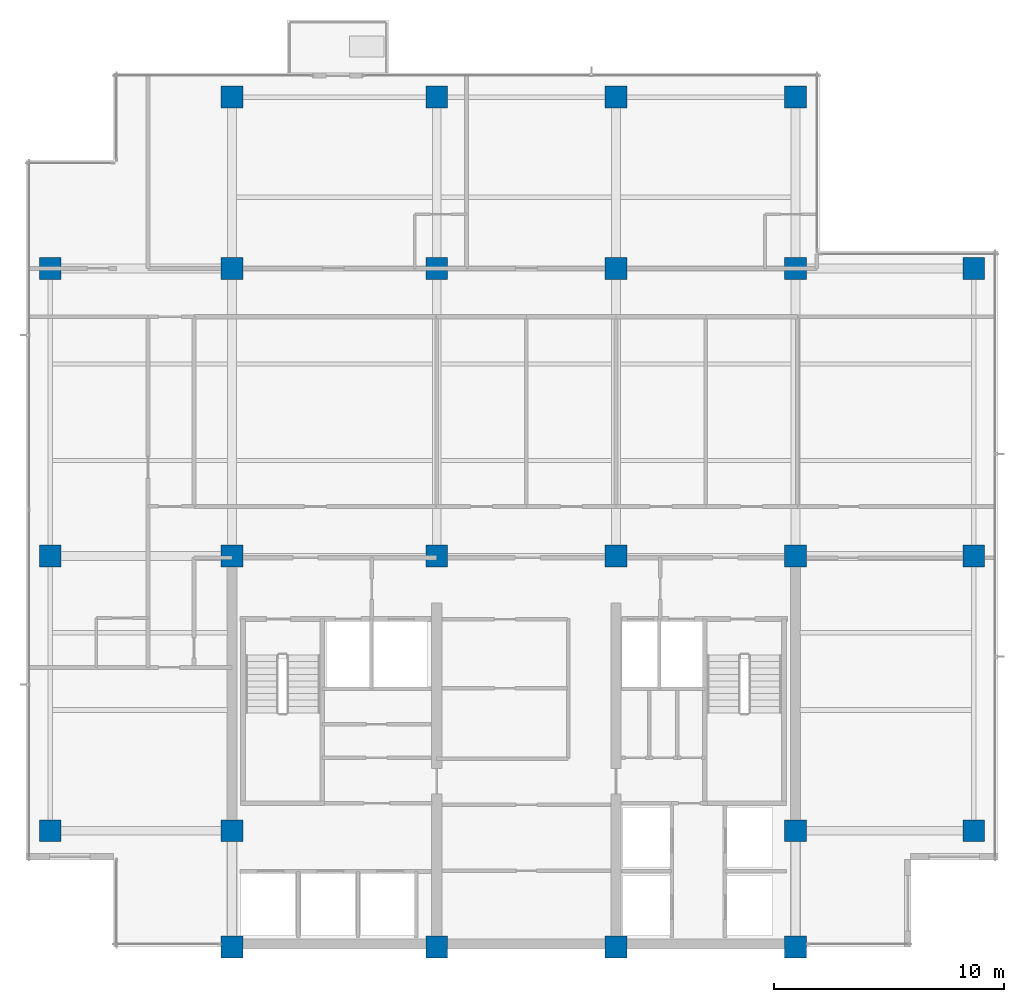
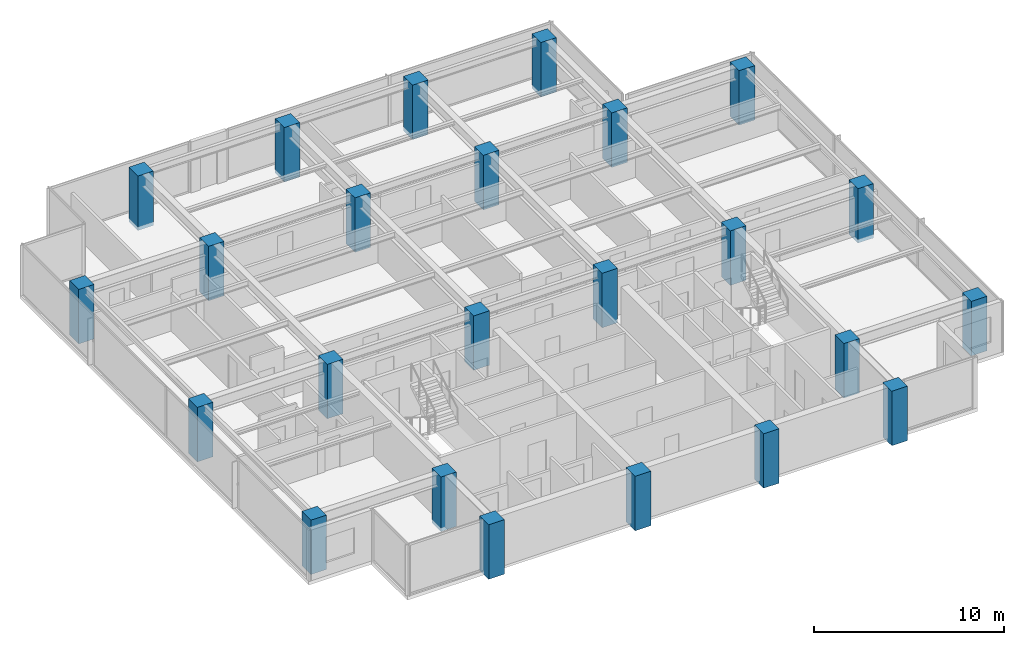
# One storey, part 1 of 14: 24 columns.
"""IFC4 building model written with IfcOpenShell, lengths in metres."""

from ifc_helpers import new_model, si_unit, direction, frame, origin, origin_2d, place, context, subcontext, project, spatial, rectangle, extrude, material, material_profile, profile_set, type_object, element, save


model = new_model("IFC4")

# Units and contexts
model_context = context("Model", 3, precision=1e-05, world=origin(), true_north=direction((0.0, 1.0)))
body_context = subcontext(model_context, "Body", "Model", "MODEL_VIEW")
ifc_project = project(units=[si_unit("LENGTHUNIT", "METRE"), si_unit("AREAUNIT", "SQUARE_METRE"), si_unit("VOLUMEUNIT", "CUBIC_METRE"), si_unit("PLANEANGLEUNIT", "RADIAN"), si_unit("MASSUNIT", "GRAM", prefix="KILO")], contexts=[model_context])

# Site, building, storey
site_placement = place(None, origin())
site = spatial("IfcSite", under=ifc_project, at=site_placement, CompositionType="ELEMENT")
building_placement = place(site_placement, origin())
building = spatial("IfcBuilding", under=site, at=building_placement, Name="Qalmaran Belvedere Hotel", CompositionType="ELEMENT")
storey_placement = place(building_placement, frame((0.0, 0.0, 217.89990234375)))
storey = spatial("IfcBuildingStorey", under=building, at=storey_placement, Name="L55", CompositionType="ELEMENT", Elevation=217.89990234375)

# Columns
ifc_material = material(Name="Concrete C50/60", Category="concrete")
ifc_material_profile = material_profile(ifc_material, rectangle(XDim=0.949951171875, YDim=0.949951171875, at=origin_2d()), Name="CC950X950")
ifc_profile_set = profile_set([ifc_material_profile], Name="Concrete C50/60")
column_type = type_object("IfcColumnType", Name="COL-Z4-CC950", PredefinedType="COLUMN", material=ifc_profile_set)
for number, where, z_axis, x_axis, name in (
    (1, (20.300048828125, 3.5, -0.239990234375), (0.0, 0.0, 1.0), (1.0, 0.0, 0.0), "L55 Column C4B"),
    (2, (29.199951171875, 3.5, -0.239990234375), (0.0, 0.0, 1.0), (1.0, 0.0, 0.0), "L55 Column C5B"),
    (3, (37.0, 3.5, -0.239990234375), (0.0, 0.0, 1.0), (1.0, 0.0, 0.0), "L55 Column C6B"),
    (4, (44.800048828125, 3.5, -0.239990234375), (0.0, 0.0, 1.0), (1.0, 0.0, 0.0), "L55 Column C7B"),
    (5, (20.300048828125, 8.550048828125, -0.239990234375), (0.0, 0.0, 1.0), (1.0, 0.0, 0.0), "L55 Column C4C"),
    (6, (44.800048828125, 8.550048828125, -0.239990234375), (0.0, 0.0, 1.0), (1.0, 0.0, 0.0), "L55 Column C7C"),
    (7, (20.300048828125, 20.5, -0.239990234375), (0.0, 0.0, 1.0), (1.0, 0.0, 0.0), "L55 Column C4D"),
    (8, (29.199951171875, 20.5, -0.239990234375), (0.0, 0.0, 1.0), (1.0, 0.0, 0.0), "L55 Column C5D"),
    (9, (37.0, 20.5, -0.239990234375), (0.0, 0.0, 1.0), (1.0, 0.0, 0.0), "L55 Column C6D"),
    (10, (44.800048828125, 20.5, -0.239990234375), (0.0, 0.0, 1.0), (1.0, 0.0, 0.0), "L55 Column C7D"),
    (11, (20.300048828125, 33.0, -0.239990234375), (0.0, 0.0, 1.0), (1.0, 0.0, 0.0), "L55 Column C4F"),
    (12, (29.199951171875, 33.0, -0.239990234375), (0.0, 0.0, 1.0), (1.0, 0.0, 0.0), "L55 Column C5F"),
    (13, (37.0, 33.0, -0.239990234375), (0.0, 0.0, 1.0), (1.0, 0.0, 0.0), "L55 Column C6F"),
    (14, (44.800048828125, 33.0, -0.239990234375), (0.0, 0.0, 1.0), (1.0, 0.0, 0.0), "L55 Column C7F"),
    (15, (12.39990234375, 8.550048828125, -0.239990234375), (0.0, 0.0, 1.0), (1.0, 0.0, 0.0), "L55 Column CW1"),
    (16, (12.39990234375, 20.5, -0.239990234375), (0.0, 0.0, 1.0), (1.0, 0.0, 0.0), "L55 Column CW3"),
    (17, (12.39990234375, 33.0, -0.239990234375), (0.0, 0.0, 1.0), (1.0, 0.0, 0.0), "L55 Column CW4"),
    (18, (52.550048828125, 8.550048828125, -0.239990234375), (0.0, 0.0, 1.0), (1.0, 0.0, 0.0), "L55 Column CE1"),
    (19, (52.550048828125, 20.5, -0.239990234375), (0.0, 0.0, 1.0), (1.0, 0.0, 0.0), "L55 Column CE3"),
    (20, (52.550048828125, 33.0, -0.239990234375), (0.0, 0.0, 1.0), (1.0, 0.0, 0.0), "L55 Column CE4"),
    (21, (20.300048828125, 40.449951171875, -0.239990234375), (0.0, 0.0, 1.0), (1.0, 0.0, 0.0), "L55 Column CN1"),
    (22, (29.199951171875, 40.449951171875, -0.239990234375), (0.0, 0.0, 1.0), (1.0, 0.0, 0.0), "L55 Column CN2"),
    (23, (37.0, 40.449951171875, -0.239990234375), (0.0, 0.0, 1.0), (1.0, 0.0, 0.0), "L55 Column CN3"),
    (24, (44.800048828125, 40.449951171875, -0.239990234375), (0.0, 0.0, 1.0), (1.0, 0.0, 0.0), "L55 Column CN4"),
):
    element("IfcColumn", number, at=place(storey_placement, frame(where, z_axis=z_axis, x_axis=x_axis)), inside=storey, type_object=column_type, Name=name, PredefinedType="COLUMN", context=body_context, shape_type="SweptSolid", body=[
        extrude(rectangle(XDim=0.949951171875, YDim=0.949951171875, at=origin_2d()), origin(), (0.0, 0.0, 1.0), 3.5),
    ])

save(model, "model.ifc")
